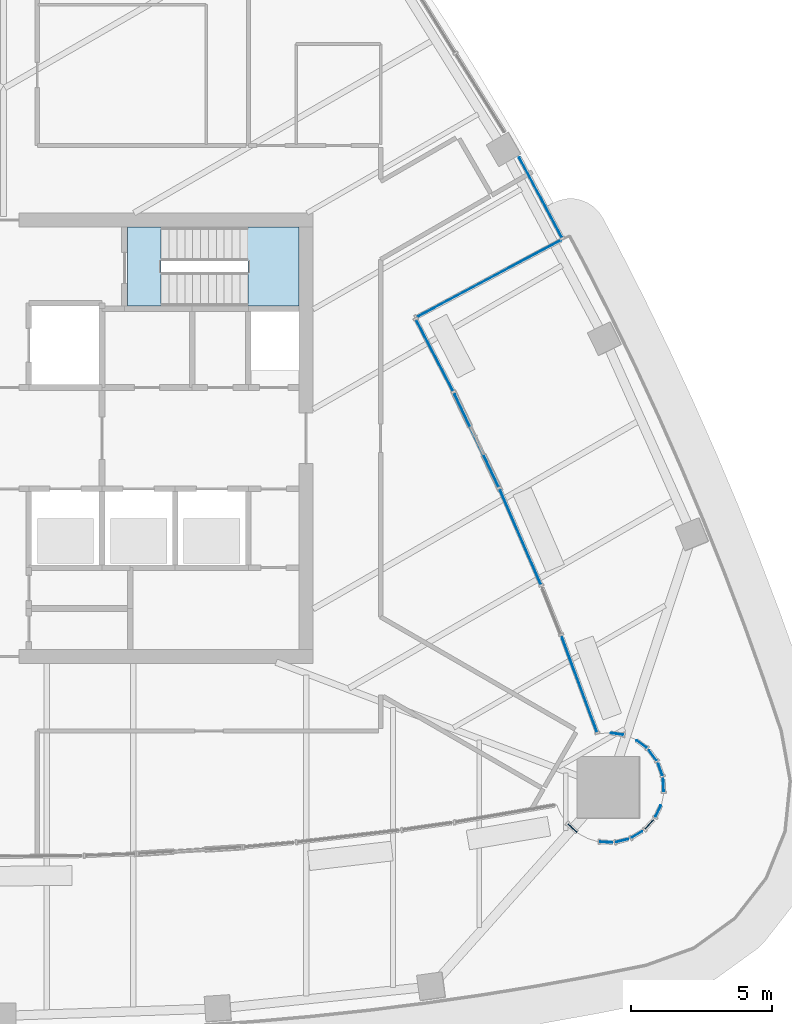
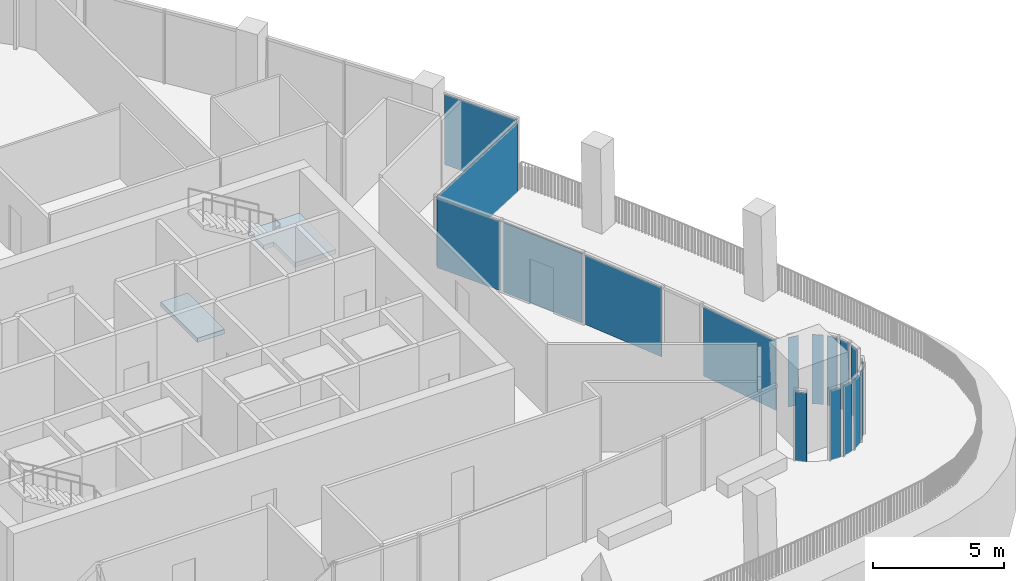
# One storey, part 11 of 21: 17 plates, 2 slabs, 18 elements without a shape of their own.
"""IFC4 building model written with IfcOpenShell, lengths in metres."""

from ifc_helpers import new_model, si_unit, direction, frame, origin, origin_2d, place, context, subcontext, project, spatial, polyline, rectangle, outline, extrude, material, layer, layer_set, type_object, element, aggregate, save


model = new_model("IFC4")

# Units and contexts
model_context = context("Model", 3, precision=1e-05, world=origin(), true_north=direction((0.0, 1.0)))
body_context = subcontext(model_context, "Body", "Model", "MODEL_VIEW")
ifc_project = project(units=[si_unit("LENGTHUNIT", "METRE"), si_unit("AREAUNIT", "SQUARE_METRE"), si_unit("VOLUMEUNIT", "CUBIC_METRE"), si_unit("PLANEANGLEUNIT", "RADIAN"), si_unit("MASSUNIT", "GRAM", prefix="KILO")], contexts=[model_context])

# Site, building, storey
site_placement = place(None, origin())
site = spatial("IfcSite", under=ifc_project, at=site_placement, CompositionType="ELEMENT")
building_placement = place(site_placement, origin())
building = spatial("IfcBuilding", under=site, at=building_placement, Name="Sierra Prisma Convention Tower", CompositionType="ELEMENT")
storey_placement = place(building_placement, frame((0.0, 0.0, 259.0)))
storey = spatial("IfcBuildingStorey", under=building, at=storey_placement, Name="L58", CompositionType="ELEMENT", Elevation=259.0)

# Curtain wall, plate
ifc_material_1 = material(Name="Aluminium and glass curtain wall", Category="aluminium")
ifc_layer_1 = layer(ifc_material_1, 0.179931640625)
ifc_layer_set_1 = layer_set([ifc_layer_1], Name="CW-1 Plain shaft curtain wall")
curtain_wall_type_1 = type_object("IfcCurtainWallType", Name="CW-1 Plain shaft curtain wall", PredefinedType="NOTDEFINED", material=ifc_layer_set_1)
curtain_wall_1_placement = place(storey_placement, origin())
curtain_wall_1 = element("IfcCurtainWall", 1, at=curtain_wall_1_placement, inside=storey, type_object=curtain_wall_type_1, Name="CW-1 NE3b L58", PredefinedType="NOTDEFINED")
ifc_material_2 = material(Name="Tinted glass bronze-grey IGU", Category="glass")
ifc_layer_2 = layer(ifc_material_2, 0.028076171875)
ifc_layer_set_2 = layer_set([ifc_layer_2], Name="CW-1 glass panel")
plate_type_1 = type_object("IfcPlateType", Name="CW-1 glass panel", PredefinedType="CURTAIN_PANEL", material=ifc_layer_set_2)
plate_1_placement = place(storey_placement, frame((19.079345703125, 8.55322265625, 0.0), z_axis=(0.0, 0.0, 1.0), x_axis=(-0.470062969616, 0.882632882118, 0.0)))
plate_1 = element("IfcPlate", 2, at=plate_1_placement, type_object=plate_type_1, Name="CW-1 panel NE3b.1", PredefinedType="CURTAIN_PANEL", context=body_context, shape_type="SweptSolid", body=[
    extrude(rectangle(XDim=3.227294921875, YDim=0.028076171875, at=origin_2d()), origin(), (0.0, 0.0, 1.0), 3.280029296875),
])
aggregate(curtain_wall_1, [plate_1])

ifc_material_3 = material(Name="Aluminium and glass curtain wall", Category="aluminium")
ifc_layer_3 = layer(ifc_material_3, 0.179931640625)
ifc_layer_set_3 = layer_set([ifc_layer_3], Name="CW-6 Terrace recess curtain wall")
curtain_wall_type_2 = type_object("IfcCurtainWallType", Name="CW-6 Terrace recess curtain wall", PredefinedType="NOTDEFINED", material=ifc_layer_set_3)
curtain_wall_2_placement = place(storey_placement, origin())
curtain_wall_2 = element("IfcCurtainWall", 3, at=curtain_wall_2_placement, inside=storey, type_object=curtain_wall_type_2, Name="CW-6 R11 L58", PredefinedType="NOTDEFINED")
ifc_material_4 = material(Name="Tinted glass bronze-grey IGU", Category="glass")
ifc_layer_4 = layer(ifc_material_4, 0.028076171875)
ifc_layer_set_4 = layer_set([ifc_layer_4], Name="CW-6 glass panel")
plate_type_2 = type_object("IfcPlateType", Name="CW-6 glass panel", PredefinedType="CURTAIN_PANEL", material=ifc_layer_set_4)
plate_2_placement = place(storey_placement, frame((20.212646484375, -13.853271484375, 0.0), z_axis=(0.0, 0.0, 1.0), x_axis=(0.740951125355, -0.671558954847, 0.0)))
plate_2 = element("IfcPlate", 4, at=plate_2_placement, type_object=plate_type_2, Name="CW-6 panel R11.1", PredefinedType="CURTAIN_PANEL", context=body_context, shape_type="SweptSolid", body=[
    extrude(rectangle(XDim=0.433837890625, YDim=0.028076171875, at=origin_2d()), origin(), (0.0, 0.0, 1.0), 3.219970703125),
])
aggregate(curtain_wall_2, [plate_2])

curtain_wall_3_placement = place(storey_placement, origin())
curtain_wall_3 = element("IfcCurtainWall", 5, at=curtain_wall_3_placement, inside=storey, type_object=curtain_wall_type_2, Name="CW-6 R14 L58", PredefinedType="NOTDEFINED")
plate_3_placement = place(storey_placement, frame((21.4169921875, -14.35205078125, 0.0), z_axis=(0.0, 0.0, 1.0), x_axis=(0.998795456205, -0.049067674327, 0.0)))
plate_3 = element("IfcPlate", 6, at=plate_3_placement, type_object=plate_type_2, Name="CW-6 panel R14.1", PredefinedType="CURTAIN_PANEL", context=body_context, shape_type="SweptSolid", body=[
    extrude(rectangle(XDim=0.433837890625, YDim=0.028076171875, at=origin_2d()), origin(), (0.0, 0.0, 1.0), 3.219970703125),
])
aggregate(curtain_wall_3, [plate_3])

curtain_wall_4_placement = place(storey_placement, origin())
curtain_wall_4 = element("IfcCurtainWall", 7, at=curtain_wall_4_placement, inside=storey, type_object=curtain_wall_type_2, Name="CW-6 R15 L58", PredefinedType="NOTDEFINED")
plate_4_placement = place(storey_placement, frame((21.98193359375, -14.29638671875, 0.0), z_axis=(0.0, 0.0, 1.0), x_axis=(0.970031253195, 0.242980179903, 0.0)))
plate_4 = element("IfcPlate", 8, at=plate_4_placement, type_object=plate_type_2, Name="CW-6 panel R15.1", PredefinedType="CURTAIN_PANEL", context=body_context, shape_type="SweptSolid", body=[
    extrude(rectangle(XDim=0.433837890625, YDim=0.028076171875, at=origin_2d()), origin(), (0.0, 0.0, 1.0), 3.219970703125),
])
aggregate(curtain_wall_4, [plate_4])

curtain_wall_5_placement = place(storey_placement, origin())
curtain_wall_5 = element("IfcCurtainWall", 9, at=curtain_wall_5_placement, inside=storey, type_object=curtain_wall_type_2, Name="CW-6 R16 L58", PredefinedType="NOTDEFINED")
plate_5_placement = place(storey_placement, frame((22.50634765625, -14.0791015625, 0.0), z_axis=(0.0, 0.0, 1.0), x_axis=(0.85772861, 0.514102744193, 0.0)))
plate_5 = element("IfcPlate", 10, at=plate_5_placement, type_object=plate_type_2, Name="CW-6 panel R16.1", PredefinedType="CURTAIN_PANEL", context=body_context, shape_type="SweptSolid", body=[
    extrude(rectangle(XDim=0.433837890625, YDim=0.028076171875, at=origin_2d()), origin(), (0.0, 0.0, 1.0), 3.219970703125),
])
aggregate(curtain_wall_5, [plate_5])

curtain_wall_6_placement = place(storey_placement, origin())
curtain_wall_6 = element("IfcCurtainWall", 11, at=curtain_wall_6_placement, inside=storey, type_object=curtain_wall_type_2, Name="CW-6 R17 L58", PredefinedType="NOTDEFINED")
plate_6_placement = place(storey_placement, frame((22.945068359375, -13.718994140625, 0.0), z_axis=(0.0, 0.0, 1.0), x_axis=(0.671558954847, 0.740951125355, 0.0)))
plate_6 = element("IfcPlate", 12, at=plate_6_placement, type_object=plate_type_2, Name="CW-6 panel R17.1", PredefinedType="CURTAIN_PANEL", context=body_context, shape_type="SweptSolid", body=[
    extrude(rectangle(XDim=0.433837890625, YDim=0.028076171875, at=origin_2d()), origin(), (0.0, 0.0, 1.0), 3.219970703125),
])
aggregate(curtain_wall_6, [plate_6])

curtain_wall_7_placement = place(storey_placement, origin())
curtain_wall_7 = element("IfcCurtainWall", 13, at=curtain_wall_7_placement, inside=storey, type_object=curtain_wall_type_2, Name="CW-6 R18 L58", PredefinedType="NOTDEFINED")
plate_7_placement = place(storey_placement, frame((23.260498046875, -13.2470703125, 0.0), z_axis=(0.0, 0.0, 1.0), x_axis=(0.42755509343, 0.903989293123, 0.0)))
plate_7 = element("IfcPlate", 14, at=plate_7_placement, type_object=plate_type_2, Name="CW-6 panel R18.1", PredefinedType="CURTAIN_PANEL", context=body_context, shape_type="SweptSolid", body=[
    extrude(rectangle(XDim=0.433837890625, YDim=0.028076171875, at=origin_2d()), origin(), (0.0, 0.0, 1.0), 3.219970703125),
])
aggregate(curtain_wall_7, [plate_7])

curtain_wall_8_placement = place(storey_placement, origin())
curtain_wall_8 = element("IfcCurtainWall", 15, at=curtain_wall_8_placement, inside=storey, type_object=curtain_wall_type_2, Name="CW-6 R20 L58", PredefinedType="NOTDEFINED")
plate_8_placement = place(storey_placement, frame((23.44384765625, -12.324951171875, 0.0), z_axis=(0.0, 0.0, 1.0), x_axis=(-0.049067674327, 0.998795456205, 0.0)))
plate_8 = element("IfcPlate", 16, at=plate_8_placement, type_object=plate_type_2, Name="CW-6 panel R20.1", PredefinedType="CURTAIN_PANEL", context=body_context, shape_type="SweptSolid", body=[
    extrude(rectangle(XDim=0.433837890625, YDim=0.028076171875, at=origin_2d()), origin(), (0.0, 0.0, 1.0), 3.219970703125),
])
aggregate(curtain_wall_8, [plate_8])

curtain_wall_9_placement = place(storey_placement, origin())
curtain_wall_9 = element("IfcCurtainWall", 17, at=curtain_wall_9_placement, inside=storey, type_object=curtain_wall_type_2, Name="CW-6 R21 L58", PredefinedType="NOTDEFINED")
plate_9_placement = place(storey_placement, frame((23.333251953125, -11.76806640625, 0.0), z_axis=(0.0, 0.0, 1.0), x_axis=(-0.336889853392, 0.941544065183, 0.0)))
plate_9 = element("IfcPlate", 18, at=plate_9_placement, type_object=plate_type_2, Name="CW-6 panel R21.1", PredefinedType="CURTAIN_PANEL", context=body_context, shape_type="SweptSolid", body=[
    extrude(rectangle(XDim=0.433837890625, YDim=0.028076171875, at=origin_2d()), origin(), (0.0, 0.0, 1.0), 3.219970703125),
])
aggregate(curtain_wall_9, [plate_9])

curtain_wall_10_placement = place(storey_placement, origin())
curtain_wall_10 = element("IfcCurtainWall", 19, at=curtain_wall_10_placement, inside=storey, type_object=curtain_wall_type_2, Name="CW-6 R22 L58", PredefinedType="NOTDEFINED")
plate_10_placement = place(storey_placement, frame((23.065673828125, -11.267578125, 0.0), z_axis=(0.0, 0.0, 1.0), x_axis=(-0.595699304492, 0.803207531481, 0.0)))
plate_10 = element("IfcPlate", 20, at=plate_10_placement, type_object=plate_type_2, Name="CW-6 panel R22.1", PredefinedType="CURTAIN_PANEL", context=body_context, shape_type="SweptSolid", body=[
    extrude(rectangle(XDim=0.433837890625, YDim=0.028076171875, at=origin_2d()), origin(), (0.0, 0.0, 1.0), 3.219970703125),
])
aggregate(curtain_wall_10, [plate_10])

curtain_wall_11_placement = place(storey_placement, origin())
curtain_wall_11 = element("IfcCurtainWall", 21, at=curtain_wall_11_placement, inside=storey, type_object=curtain_wall_type_2, Name="CW-6 R23 L58", PredefinedType="NOTDEFINED")
plate_11_placement = place(storey_placement, frame((22.664306640625, -10.865966796875, 0.0), z_axis=(0.0, 0.0, 1.0), x_axis=(-0.803207531481, 0.595699304492, 0.0)))
plate_11 = element("IfcPlate", 22, at=plate_11_placement, type_object=plate_type_2, Name="CW-6 panel R23.1", PredefinedType="CURTAIN_PANEL", context=body_context, shape_type="SweptSolid", body=[
    extrude(rectangle(XDim=0.433837890625, YDim=0.028076171875, at=origin_2d()), origin(), (0.0, 0.0, 1.0), 3.219970703125),
])
aggregate(curtain_wall_11, [plate_11])

curtain_wall_12_placement = place(storey_placement, origin())
curtain_wall_12 = element("IfcCurtainWall", 23, at=curtain_wall_12_placement, inside=storey, type_object=curtain_wall_type_2, Name="CW-6 R25 L58", PredefinedType="NOTDEFINED")
plate_12_placement = place(storey_placement, frame((21.795654296875, -10.50634765625, 0.0), z_axis=(0.0, 0.0, 1.0), x_axis=(-0.989176509965, 0.146730474455, 0.0)))
plate_12 = element("IfcPlate", 24, at=plate_12_placement, type_object=plate_type_2, Name="CW-6 panel R25.1", PredefinedType="CURTAIN_PANEL", context=body_context, shape_type="SweptSolid", body=[
    extrude(rectangle(XDim=0.433837890625, YDim=0.028076171875, at=origin_2d()), origin(), (0.0, 0.0, 1.0), 3.219970703125),
])
aggregate(curtain_wall_12, [plate_12])

curtain_wall_13_placement = place(storey_placement, origin())
curtain_wall_13 = element("IfcCurtainWall", 25, at=curtain_wall_13_placement, inside=storey, type_object=curtain_wall_type_2, Name="CW-6 R27 L58", PredefinedType="NOTDEFINED")
plate_13_placement = place(storey_placement, frame((20.46533203125, -8.76171875, 0.0), z_axis=(0.0, 0.0, 1.0), x_axis=(-0.346685766215, 0.937981332172, 0.0)))
plate_13 = element("IfcPlate", 26, at=plate_13_placement, type_object=plate_type_2, Name="CW-6 panel R27.1", PredefinedType="CURTAIN_PANEL", context=body_context, shape_type="SweptSolid", body=[
    extrude(rectangle(XDim=3.5810546875, YDim=0.028076171875, at=origin_2d()), origin(), (0.0, 0.0, 1.0), 3.219970703125),
])
aggregate(curtain_wall_13, [plate_13])

curtain_wall_14_placement = place(storey_placement, origin())
curtain_wall_14 = element("IfcCurtainWall", 27, at=curtain_wall_14_placement, inside=storey, type_object=curtain_wall_type_2, Name="CW-6 R29 L58", PredefinedType="NOTDEFINED")
plate_14_placement = place(storey_placement, frame((18.37060546875, -3.5302734375, 0.0), z_axis=(0.0, 0.0, 1.0), x_axis=(-0.396307804792, 0.918117706975, 0.0)))
plate_14 = element("IfcPlate", 28, at=plate_14_placement, type_object=plate_type_2, Name="CW-6 panel R29.1", PredefinedType="CURTAIN_PANEL", context=body_context, shape_type="SweptSolid", body=[
    extrude(rectangle(XDim=3.6357421875, YDim=0.028076171875, at=origin_2d()), origin(), (0.0, 0.0, 1.0), 3.219970703125),
])
aggregate(curtain_wall_14, [plate_14])

curtain_wall_15_placement = place(storey_placement, origin())
curtain_wall_15 = element("IfcCurtainWall", 29, at=curtain_wall_15_placement, inside=storey, type_object=curtain_wall_type_2, Name="CW-6 R30 L58", PredefinedType="NOTDEFINED")
plate_15_placement = place(storey_placement, frame((16.812744140625, -0.091552734375, 0.0), z_axis=(0.0, 0.0, 1.0), x_axis=(-0.428847897645, 0.903376710285, 0.0)))
plate_15 = element("IfcPlate", 30, at=plate_15_placement, type_object=plate_type_2, Name="CW-6 panel R30.1", PredefinedType="CURTAIN_PANEL", context=body_context, shape_type="SweptSolid", body=[
    extrude(rectangle(XDim=3.6357421875, YDim=0.028076171875, at=origin_2d()), origin(), (0.0, 0.0, 1.0), 3.219970703125),
])
aggregate(curtain_wall_15, [plate_15])

curtain_wall_16_placement = place(storey_placement, origin())
curtain_wall_16 = element("IfcCurtainWall", 31, at=curtain_wall_16_placement, inside=storey, type_object=curtain_wall_type_2, Name="CW-6 R31 L58", PredefinedType="NOTDEFINED")
plate_16_placement = place(storey_placement, frame((15.31298828125, 2.943115234375, 0.0), z_axis=(0.0, 0.0, 1.0), x_axis=(-0.46084071427, 0.887482865227, 0.0)))
plate_16 = element("IfcPlate", 32, at=plate_16_placement, type_object=plate_type_2, Name="CW-6 panel R31.1", PredefinedType="CURTAIN_PANEL", context=body_context, shape_type="SweptSolid", body=[
    extrude(rectangle(XDim=2.855224609375, YDim=0.028076171875, at=origin_2d()), origin(), (0.0, 0.0, 1.0), 3.219970703125),
])
aggregate(curtain_wall_16, [plate_16])

curtain_wall_17_placement = place(storey_placement, origin())
curtain_wall_17 = element("IfcCurtainWall", 33, at=curtain_wall_17_placement, inside=storey, type_object=curtain_wall_type_2, Name="CW-6 RT2 L58", PredefinedType="NOTDEFINED")
plate_17_placement = place(storey_placement, frame((17.246826171875, 5.669677734375, 0.0), z_axis=(0.0, 0.0, 1.0), x_axis=(0.882632882118, 0.470062969616, 0.0)))
plate_17 = element("IfcPlate", 34, at=plate_17_placement, type_object=plate_type_2, Name="CW-6 panel RT2.1", PredefinedType="CURTAIN_PANEL", context=body_context, shape_type="SweptSolid", body=[
    extrude(rectangle(XDim=5.805908203125, YDim=0.028076171875, at=origin_2d()), origin(), (0.0, 0.0, 1.0), 3.219970703125),
])
aggregate(curtain_wall_17, [plate_17])

# Stair, slab
ifc_material_5 = material(Name="Concrete C30/37", Category="concrete")
stair_type = type_object("IfcStairType", Name="Stair dog-leg 1200 RC", PredefinedType="HALF_TURN_STAIR", material=ifc_material_5)
stair_placement = place(storey_placement, origin())
stair = element("IfcStair", 35, at=stair_placement, inside=storey, type_object=stair_type, Name="L58 S4", PredefinedType="HALF_TURN_STAIR")
ifc_material_6 = material(Name="Concrete C35/45", Category="concrete")
ifc_layer_5 = layer(ifc_material_6, 0.199951171875)
ifc_layer_set_5 = layer_set([ifc_layer_5], Name="Stair landing slab")
slab_type = type_object("IfcSlabType", Name="Stair landing slab", PredefinedType="LANDING", material=ifc_layer_set_5)
slab_1_placement = place(storey_placement, frame((0.0, 0.0, 1.800048828125)))
slab_1 = element("IfcSlab", 36, at=slab_1_placement, type_object=slab_type, Name="S4 landing 1", PredefinedType="LANDING", context=body_context, shape_type="SweptSolid", body=[
    extrude(outline(polyline([(10.5, 7.5), (10.5, 4.699951171875), (8.677978515625, 4.699951171875), (8.677978515625, 6.300048828125), (8.22998046875, 6.300048828125), (8.22998046875, 7.5), (10.5, 7.5)])), origin(), (0.0, 0.0, 1.0), 0.199951171875),
])
aggregate(stair, [slab_1])

# Slab
slab_2_placement = place(storey_placement, frame((0.0, 0.0, -0.199951171875)))
element("IfcSlab", 37, at=slab_2_placement, inside=storey, type_object=slab_type, Name="S4 floor landing L58", PredefinedType="LANDING", context=body_context, shape_type="SweptSolid", body=[
    extrude(outline(polyline([(4.39990234375, 4.699951171875), (5.60205078125, 4.699951171875), (5.60205078125, 7.5), (4.39990234375, 7.5), (4.39990234375, 4.699951171875)])), origin(), (0.0, 0.0, 1.0), 0.199951171875),
])

save(model, "model.ifc")
